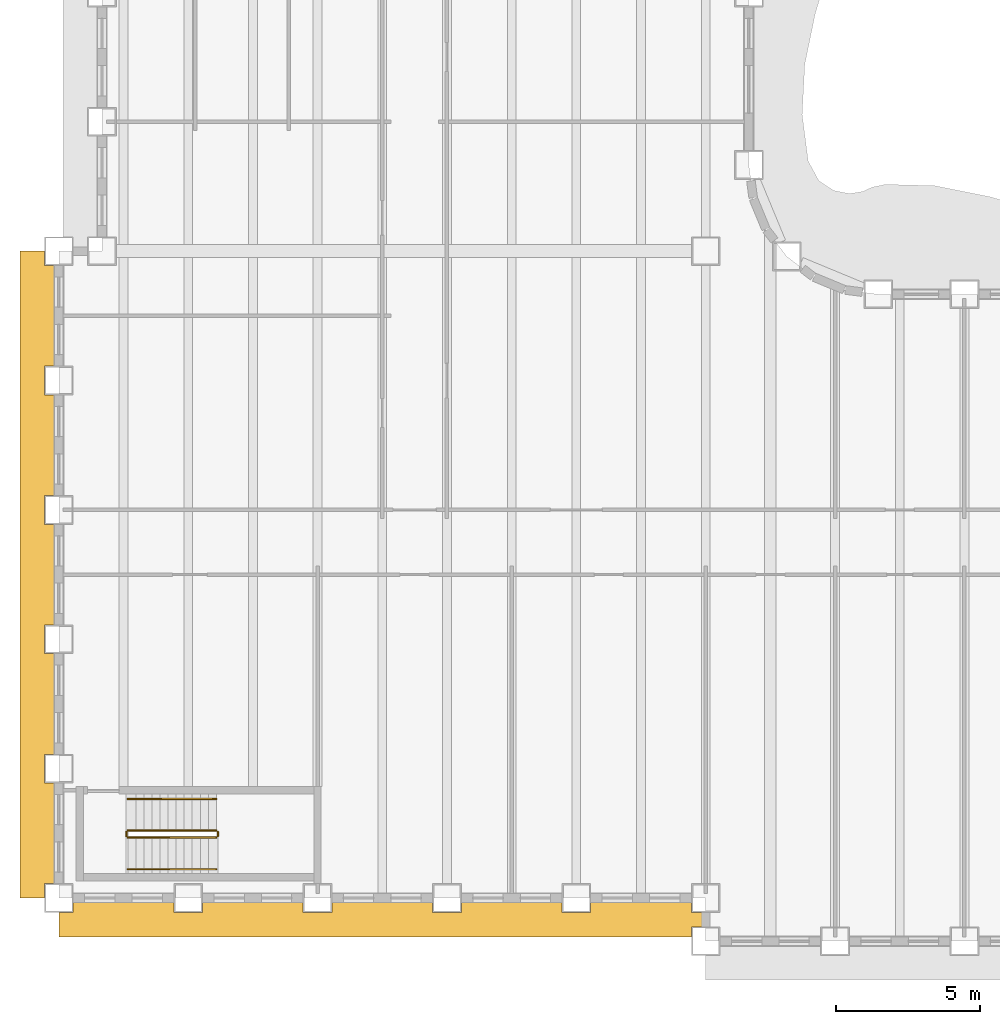
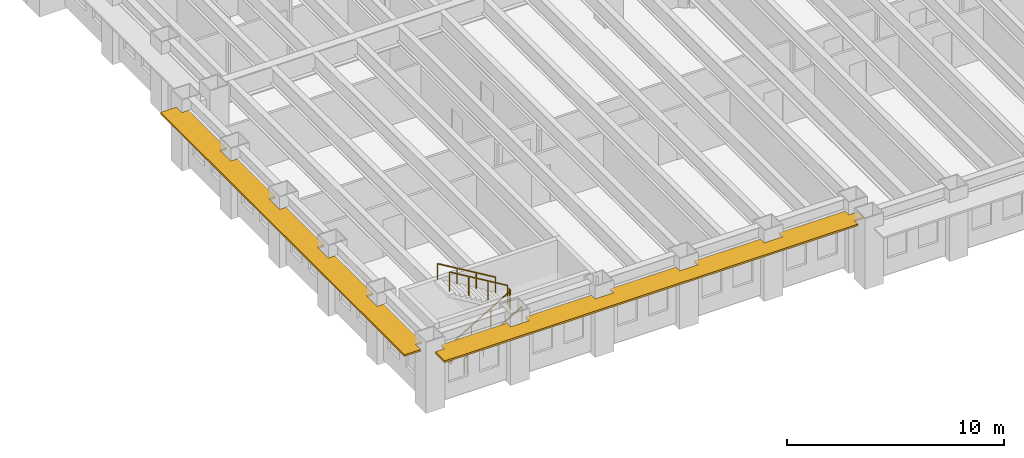
# One storey, part 11 of 16: 6 railings, 2 shading devices.
"""IFC4 building model written with IfcOpenShell, lengths in metres."""

from ifc_helpers import new_model, si_unit, direction, frame, origin, origin_2d, place, context, subcontext, project, spatial, polyline, rectangle, outline, extrude, material, layer, layer_set, type_object, element, save


model = new_model("IFC4")

# Units and contexts
model_context = context("Model", 3, precision=1e-05, world=origin(), true_north=direction((0.0, 1.0)))
body_context = subcontext(model_context, "Body", "Model", "MODEL_VIEW")
ifc_project = project(units=[si_unit("LENGTHUNIT", "METRE"), si_unit("AREAUNIT", "SQUARE_METRE"), si_unit("VOLUMEUNIT", "CUBIC_METRE"), si_unit("PLANEANGLEUNIT", "RADIAN"), si_unit("MASSUNIT", "GRAM", prefix="KILO")], contexts=[model_context])

# Site, building, storey
site_placement = place(None, origin())
site = spatial("IfcSite", under=ifc_project, at=site_placement, CompositionType="ELEMENT")
building_placement = place(site_placement, origin())
building = spatial("IfcBuilding", under=site, at=building_placement, Name="Sennacour Bend Tower", CompositionType="ELEMENT")
storey_placement = place(building_placement, frame((0.0, 0.0, 91.0)))
storey = spatial("IfcBuildingStorey", under=building, at=storey_placement, Name="L20", CompositionType="ELEMENT", Elevation=91.0)

# Railings
ifc_material_1 = material(Name="Stainless steel", Category="steel")
railing_type_1 = type_object("IfcRailingType", Name="RL-GUARD-1100", PredefinedType="GUARDRAIL", material=ifc_material_1)
railing_1_placement = place(storey_placement, frame((2.39990234375, 2.10009765625, 0.166748046875)))
element("IfcRailing", 1, at=railing_1_placement, inside=storey, type_object=railing_type_1, Name="L20 SK1 stair guard 1", PredefinedType="GUARDRAIL", context=body_context, shape_type="SweptSolid", body=[
    extrude(rectangle(XDim=0.048095703125, YDim=0.048095703125, at=origin_2d()), frame((0.0, 0.0, 1.076171875), z_axis=(0.859308565015, 0.0, 0.511457515432), x_axis=(0.0, 1.0, 0.0)), (0.0, 0.0, 1.0), 3.58447265625),
    extrude(rectangle(XDim=0.0419921875, YDim=0.0419921875, at=origin_2d()), origin(), (0.0, 0.0, 1.0), 1.052001953125),
    extrude(rectangle(XDim=0.0419921875, YDim=0.0419921875, at=origin_2d()), frame((1.026611328125, 0.0, 0.611083984375)), (0.0, 0.0, 1.0), 1.052001953125),
    extrude(rectangle(XDim=0.0419921875, YDim=0.0419921875, at=origin_2d()), frame((2.053466796875, 0.0, 1.22216796875)), (0.0, 0.0, 1.0), 1.052001953125),
    extrude(rectangle(XDim=0.0419921875, YDim=0.0419921875, at=origin_2d()), frame((3.080078125, 0.0, 1.833251953125)), (0.0, 0.0, 1.0), 1.052001953125),
])
railing_2_placement = place(storey_placement, frame((5.530029296875, 2.14990234375, 2.0)))
element("IfcRailing", 2, at=railing_2_placement, inside=storey, type_object=railing_type_1, Name="L20 SK1 stair guard 2", PredefinedType="GUARDRAIL", context=body_context, shape_type="SweptSolid", body=[
    extrude(rectangle(XDim=0.048095703125, YDim=0.048095703125, at=origin_2d()), frame((0.0, 0.0, 1.076171875), z_axis=(0.0, 1.0, 0.0), x_axis=(-1.0, 0.0, 0.0)), (0.0, 0.0, 1.0), 0.150146484375),
    extrude(rectangle(XDim=0.0419921875, YDim=0.0419921875, at=origin_2d()), origin(), (0.0, 0.0, 1.0), 1.052001953125),
    extrude(rectangle(XDim=0.0419921875, YDim=0.0419921875, at=origin_2d()), frame((0.0, 0.150146484375, 0.0)), (0.0, 0.0, 1.0), 1.052001953125),
])
railing_3_placement = place(storey_placement, frame((5.47998046875, 2.35009765625, 2.166748046875)))
element("IfcRailing", 3, at=railing_3_placement, inside=storey, type_object=railing_type_1, Name="L20 SK1 stair guard 3", PredefinedType="GUARDRAIL", context=body_context, shape_type="SweptSolid", body=[
    extrude(rectangle(XDim=0.048095703125, YDim=0.048095703125, at=origin_2d()), frame((0.0, 0.0, 1.076171875), z_axis=(-0.859308565015, 0.0, 0.511457515432), x_axis=(0.0, -1.0, 0.0)), (0.0, 0.0, 1.0), 3.58447265625),
    extrude(rectangle(XDim=0.0419921875, YDim=0.0419921875, at=origin_2d()), origin(), (0.0, 0.0, 1.0), 1.052001953125),
    extrude(rectangle(XDim=0.0419921875, YDim=0.0419921875, at=origin_2d()), frame((-1.026611328125, 0.0, 0.611083984375)), (0.0, 0.0, 1.0), 1.052001953125),
    extrude(rectangle(XDim=0.0419921875, YDim=0.0419921875, at=origin_2d()), frame((-2.053466796875, 0.0, 1.22216796875)), (0.0, 0.0, 1.0), 1.052001953125),
    extrude(rectangle(XDim=0.0419921875, YDim=0.0419921875, at=origin_2d()), frame((-3.080078125, 0.0, 1.833251953125)), (0.0, 0.0, 1.0), 1.052001953125),
])
railing_4_placement = place(storey_placement, frame((2.35009765625, 2.14990234375, 0.0)))
element("IfcRailing", 4, at=railing_4_placement, inside=storey, type_object=railing_type_1, Name="L20 SK1 stair guard 4", PredefinedType="GUARDRAIL", context=body_context, shape_type="SweptSolid", body=[
    extrude(rectangle(XDim=0.048095703125, YDim=0.048095703125, at=origin_2d()), frame((0.0, 0.0, 1.076171875), z_axis=(0.0, 1.0, 0.0), x_axis=(-1.0, 0.0, 0.0)), (0.0, 0.0, 1.0), 0.150146484375),
    extrude(rectangle(XDim=0.0419921875, YDim=0.0419921875, at=origin_2d()), origin(), (0.0, 0.0, 1.0), 1.052001953125),
    extrude(rectangle(XDim=0.0419921875, YDim=0.0419921875, at=origin_2d()), frame((0.0, 0.150146484375, 0.0)), (0.0, 0.0, 1.0), 1.052001953125),
])
railing_type_2 = type_object("IfcRailingType", Name="RL-HANDRAIL-900", PredefinedType="HANDRAIL", material=ifc_material_1)
railing_5_placement = place(storey_placement, frame((2.39990234375, 1.0, 0.166748046875)))
element("IfcRailing", 5, at=railing_5_placement, inside=storey, type_object=railing_type_2, Name="L20 SK1 stair handrail 1", PredefinedType="HANDRAIL", context=body_context, shape_type="SweptSolid", body=[
    extrude(rectangle(XDim=0.048095703125, YDim=0.048095703125, at=origin_2d()), frame((0.0, 0.0, 0.8759765625), z_axis=(0.859308565015, 0.0, 0.511457515432), x_axis=(0.0, 1.0, 0.0)), (0.0, 0.0, 1.0), 3.58447265625),
    extrude(rectangle(XDim=0.0419921875, YDim=0.0419921875, at=origin_2d()), origin(), (0.0, 0.0, 1.0), 0.851806640625),
    extrude(rectangle(XDim=0.0419921875, YDim=0.0419921875, at=origin_2d()), frame((1.026611328125, 0.0, 0.611083984375)), (0.0, 0.0, 1.0), 0.851806640625),
    extrude(rectangle(XDim=0.0419921875, YDim=0.0419921875, at=origin_2d()), frame((2.053466796875, 0.0, 1.22216796875)), (0.0, 0.0, 1.0), 0.851806640625),
    extrude(rectangle(XDim=0.0419921875, YDim=0.0419921875, at=origin_2d()), frame((3.080078125, 0.0, 1.833251953125)), (0.0, 0.0, 1.0), 0.851806640625),
])
railing_6_placement = place(storey_placement, frame((5.47998046875, 3.449951171875, 2.166748046875)))
element("IfcRailing", 6, at=railing_6_placement, inside=storey, type_object=railing_type_2, Name="L20 SK1 stair handrail 2", PredefinedType="HANDRAIL", context=body_context, shape_type="SweptSolid", body=[
    extrude(rectangle(XDim=0.048095703125, YDim=0.048095703125, at=origin_2d()), frame((0.0, 0.0, 0.8759765625), z_axis=(-0.859308565015, 0.0, 0.511457515432), x_axis=(0.0, -1.0, 0.0)), (0.0, 0.0, 1.0), 3.58447265625),
    extrude(rectangle(XDim=0.0419921875, YDim=0.0419921875, at=origin_2d()), origin(), (0.0, 0.0, 1.0), 0.851806640625),
    extrude(rectangle(XDim=0.0419921875, YDim=0.0419921875, at=origin_2d()), frame((-1.026611328125, 0.0, 0.611083984375)), (0.0, 0.0, 1.0), 0.851806640625),
    extrude(rectangle(XDim=0.0419921875, YDim=0.0419921875, at=origin_2d()), frame((-2.053466796875, 0.0, 1.22216796875)), (0.0, 0.0, 1.0), 0.851806640625),
    extrude(rectangle(XDim=0.0419921875, YDim=0.0419921875, at=origin_2d()), frame((-3.080078125, 0.0, 1.833251953125)), (0.0, 0.0, 1.0), 0.851806640625),
])

# Shading devices
ifc_material_2 = material(Name="Bronze anodised aluminium", Category="aluminium")
ifc_layer = layer(ifc_material_2, 0.10009765625, Name="Bronze anodised aluminium", Category="aluminium")
ifc_layer_set = layer_set([ifc_layer], Name="Bronze anodised aluminium")
shading_device_type = type_object("IfcShadingDeviceType", Name="SUNSHADE BAND STRAIGHT", PredefinedType="USERDEFINED", material=ifc_layer_set)
shading_device_1_placement = place(storey_placement, frame((0.0, 0.0, 3.053955078125)))
element("IfcShadingDevice", 7, at=shading_device_1_placement, inside=storey, type_object=shading_device_type, Name="Sunshade band L20 K outer face", ObjectType="SUNSHADE", PredefinedType="USERDEFINED", context=body_context, shape_type="SweptSolid", body=[
    extrude(outline(polyline([(-0.14990234375, 18.5), (-0.5, 18.5), (-0.5, 17.5), (-0.14990234375, 17.5), (-0.14990234375, 14.0), (-0.5, 14.0), (-0.5, 13.0), (-0.14990234375, 13.0), (-0.14990234375, 9.5), (-0.5, 9.5), (-0.5, 8.5), (-0.14990234375, 8.5), (-0.14990234375, 5.0), (-0.5, 5.0), (-0.5, 4.0), (-0.14990234375, 4.0), (-0.14990234375, 0.5), (-0.5, 0.5), (-0.5, 0.0), (-1.35009765625, 0.0), (-1.35009765625, 22.5), (-0.5, 22.5), (-0.5, 22.0), (-0.14990234375, 22.0), (-0.14990234375, 18.5)])), origin(), (0.0, 0.0, 1.0), 0.10009765625),
])
shading_device_2_placement = place(storey_placement, frame((0.0, 0.0, 3.053955078125)))
element("IfcShadingDevice", 8, at=shading_device_2_placement, inside=storey, type_object=shading_device_type, Name="Sunshade band L20 K outer face", ObjectType="SUNSHADE", PredefinedType="USERDEFINED", context=body_context, shape_type="SweptSolid", body=[
    extrude(outline(polyline([(4.0, -0.14990234375), (4.0, -0.5), (5.0, -0.5), (5.0, -0.14990234375), (8.5, -0.14990234375), (8.5, -0.5), (9.5, -0.5), (9.5, -0.14990234375), (13.0, -0.14990234375), (13.0, -0.5), (14.0, -0.5), (14.0, -0.14990234375), (17.5, -0.14990234375), (17.5, -0.5), (18.5, -0.5), (18.5, -0.14990234375), (22.0, -0.14990234375), (22.0, -0.5), (22.5, -0.5), (22.5, -1.0), (22.0, -1.0), (22.0, -1.35009765625), (0.0, -1.35009765625), (0.0, -0.5), (0.5, -0.5), (0.5, -0.14990234375), (4.0, -0.14990234375)])), origin(), (0.0, 0.0, 1.0), 0.10009765625),
])

save(model, "model.ifc")
